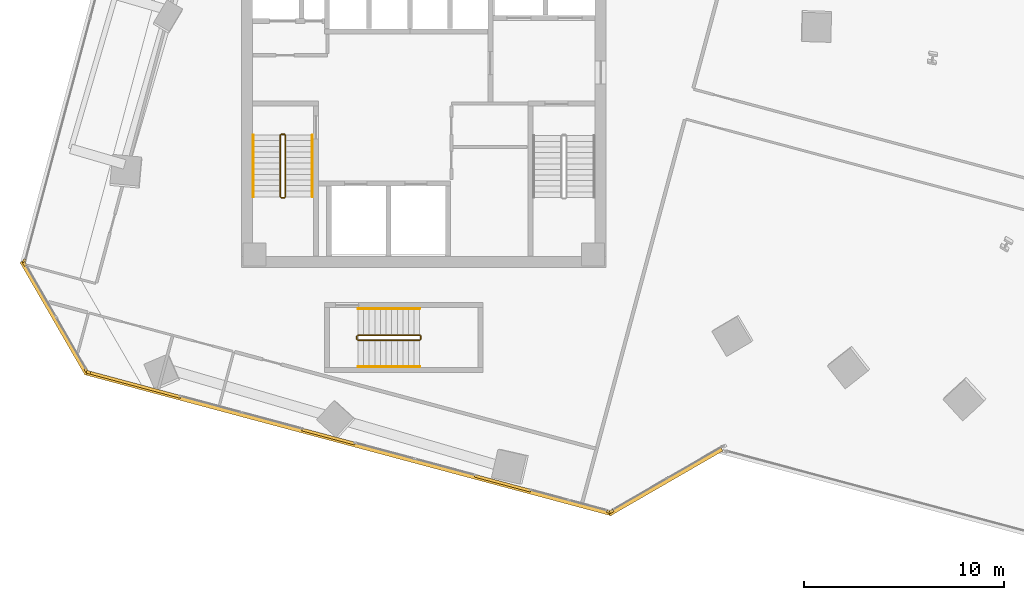
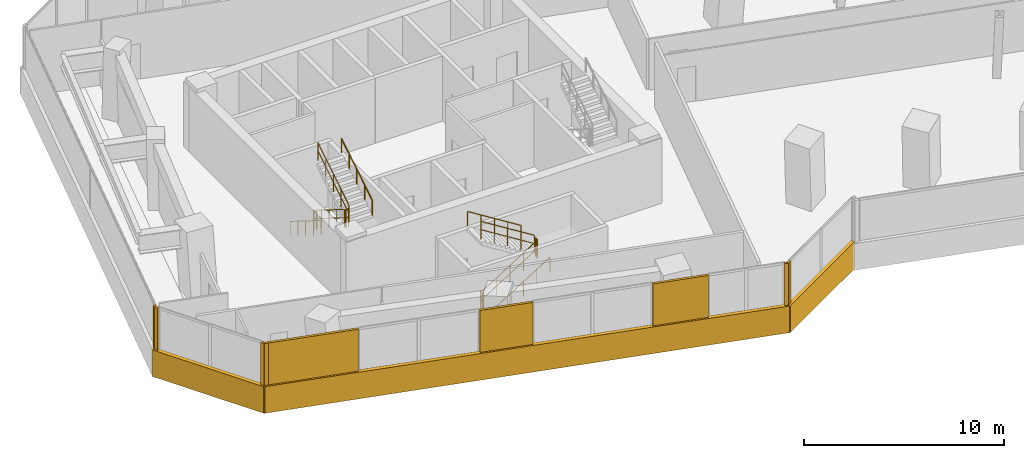
# One storey, part 22 of 26: 12 coverings, 12 railings.
"""IFC4 building model written with IfcOpenShell, lengths in metres."""

from ifc_helpers import new_model, si_unit, direction, frame, origin, origin_2d, place, context, subcontext, project, spatial, rectangle, circle, extrude, source, transform, mapped, material, layer, layer_set, type_object, element, save


model = new_model("IFC4")

# Units and contexts
model_context = context("Model", 3, precision=1e-05, world=origin(), true_north=direction((0.0, 1.0)))
body_context = subcontext(model_context, "Body", "Model", "MODEL_VIEW")
ifc_project = project(units=[si_unit("LENGTHUNIT", "METRE"), si_unit("AREAUNIT", "SQUARE_METRE"), si_unit("VOLUMEUNIT", "CUBIC_METRE"), si_unit("PLANEANGLEUNIT", "RADIAN"), si_unit("MASSUNIT", "GRAM", prefix="KILO")], contexts=[model_context])

# Site, building, storey
site_placement = place(None, origin())
site = spatial("IfcSite", under=ifc_project, at=site_placement, CompositionType="ELEMENT")
building_placement = place(site_placement, origin())
building = spatial("IfcBuilding", under=site, at=building_placement, Name="Torre Montelarca", CompositionType="ELEMENT")
storey_placement = place(building_placement, frame((0.0, 0.0, 104.199951171875)))
storey = spatial("IfcBuildingStorey", under=building, at=storey_placement, Name="L23", CompositionType="ELEMENT", Elevation=104.199951171875)

# Railings
ifc_material_1 = material(Name="Powder-coated steel ASTM A500 Grade C", Category="steel")
railing_type_1 = type_object("IfcRailingType", Name="RL-GUARD-1100", PredefinedType="BALUSTRADE", material=ifc_material_1)
railing_1_placement = place(storey_placement, frame((10.85009765625, 30.5, 0.175048828125)))
element("IfcRailing", 1, at=railing_1_placement, inside=storey, type_object=railing_type_1, Name="L23 ST1 stair guard 1", PredefinedType="BALUSTRADE", context=body_context, shape_type="SweptSolid", body=[
    extrude(circle(Radius=0.02392578125, at=origin_2d()), frame((0.0, 0.0, 1.076171875), z_axis=(0.0, -0.847998304005, 0.529998940003), x_axis=(1.0, 0.0, 0.0)), (0.0, 0.0, 1.0), 3.632080078125),
    extrude(circle(Radius=0.02099609375, at=origin_2d()), frame((0.0, 0.0, 0.572021484375), z_axis=(0.0, -0.847998304005, 0.529998940003), x_axis=(1.0, 0.0, 0.0)), (0.0, 0.0, 1.0), 3.632080078125),
    extrude(circle(Radius=0.02099609375, at=origin_2d()), origin(), (0.0, 0.0, 1.0), 1.052001953125),
    extrude(circle(Radius=0.02099609375, at=origin_2d()), frame((0.0, -0.77001953125, 0.481201171875)), (0.0, 0.0, 1.0), 1.052001953125),
    extrude(circle(Radius=0.02099609375, at=origin_2d()), frame((0.0, -1.5400390625, 0.96240234375)), (0.0, 0.0, 1.0), 1.052001953125),
    extrude(circle(Radius=0.02099609375, at=origin_2d()), frame((0.0, -2.31005859375, 1.44384765625)), (0.0, 0.0, 1.0), 1.052001953125),
    extrude(circle(Radius=0.02099609375, at=origin_2d()), frame((0.0, -3.080078125, 1.925048828125)), (0.0, 0.0, 1.0), 1.052001953125),
])
railing_2_placement = place(storey_placement, frame((10.89990234375, 27.3701171875, 2.10009765625)))
element("IfcRailing", 2, at=railing_2_placement, inside=storey, type_object=railing_type_1, Name="L23 ST1 stair guard 2", PredefinedType="BALUSTRADE", context=body_context, shape_type="SweptSolid", body=[
    extrude(circle(Radius=0.02392578125, at=origin_2d()), frame((0.0, 0.0, 1.076171875), z_axis=(1.0, 0.0, 0.0), x_axis=(0.0, 1.0, 0.0)), (0.0, 0.0, 1.0), 0.150146484375),
    extrude(circle(Radius=0.02099609375, at=origin_2d()), frame((0.0, 0.0, 0.572021484375), z_axis=(1.0, 0.0, 0.0), x_axis=(0.0, 1.0, 0.0)), (0.0, 0.0, 1.0), 0.150146484375),
    extrude(circle(Radius=0.02099609375, at=origin_2d()), origin(), (0.0, 0.0, 1.0), 1.052001953125),
    extrude(circle(Radius=0.02099609375, at=origin_2d()), frame((0.150146484375, 0.0, 0.0)), (0.0, 0.0, 1.0), 1.052001953125),
])
railing_3_placement = place(storey_placement, frame((11.10009765625, 27.419921875, 2.275146484375)))
element("IfcRailing", 3, at=railing_3_placement, inside=storey, type_object=railing_type_1, Name="L23 ST1 stair guard 3", PredefinedType="BALUSTRADE", context=body_context, shape_type="SweptSolid", body=[
    extrude(circle(Radius=0.02392578125, at=origin_2d()), frame((0.0, 0.0, 1.076171875), z_axis=(0.0, 0.848028513186, 0.529950602248), x_axis=(-1.0, 0.0, 0.0)), (0.0, 0.0, 1.0), 3.632080078125),
    extrude(circle(Radius=0.02099609375, at=origin_2d()), frame((0.0, 0.0, 0.572021484375), z_axis=(0.0, 0.848028513186, 0.529950602248), x_axis=(-1.0, 0.0, 0.0)), (0.0, 0.0, 1.0), 3.632080078125),
    extrude(circle(Radius=0.02099609375, at=origin_2d()), origin(), (0.0, 0.0, 1.0), 1.052001953125),
    extrude(circle(Radius=0.02099609375, at=origin_2d()), frame((0.0, 0.77001953125, 0.481201171875)), (0.0, 0.0, 1.0), 1.052001953125),
    extrude(circle(Radius=0.02099609375, at=origin_2d()), frame((0.0, 1.5400390625, 0.96240234375)), (0.0, 0.0, 1.0), 1.052001953125),
    extrude(circle(Radius=0.02099609375, at=origin_2d()), frame((0.0, 2.31005859375, 1.443603515625)), (0.0, 0.0, 1.0), 1.052001953125),
    extrude(circle(Radius=0.02099609375, at=origin_2d()), frame((0.0, 3.080078125, 1.9248046875)), (0.0, 0.0, 1.0), 1.052001953125),
])
railing_4_placement = place(storey_placement, frame((10.89990234375, 30.550048828125, 0.0)))
element("IfcRailing", 4, at=railing_4_placement, inside=storey, type_object=railing_type_1, Name="L23 ST1 stair guard 4", PredefinedType="BALUSTRADE", context=body_context, shape_type="SweptSolid", body=[
    extrude(circle(Radius=0.02392578125, at=origin_2d()), frame((0.0, 0.0, 1.076171875), z_axis=(1.0, 0.0, 0.0), x_axis=(0.0, 1.0, 0.0)), (0.0, 0.0, 1.0), 0.150146484375),
    extrude(circle(Radius=0.02099609375, at=origin_2d()), frame((0.0, 0.0, 0.572021484375), z_axis=(1.0, 0.0, 0.0), x_axis=(0.0, 1.0, 0.0)), (0.0, 0.0, 1.0), 0.150146484375),
    extrude(circle(Radius=0.02099609375, at=origin_2d()), origin(), (0.0, 0.0, 1.0), 1.052001953125),
    extrude(circle(Radius=0.02099609375, at=origin_2d()), frame((0.150146484375, 0.0, 0.0)), (0.0, 0.0, 1.0), 1.052001953125),
])
railing_5_placement = place(storey_placement, frame((14.719970703125, 20.27001953125, 0.175048828125)))
element("IfcRailing", 5, at=railing_5_placement, inside=storey, type_object=railing_type_1, Name="L23 ST3 stair guard 1", PredefinedType="BALUSTRADE", context=body_context, shape_type="SweptSolid", body=[
    extrude(circle(Radius=0.02392578125, at=origin_2d()), frame((0.0, 0.0, 1.076171875), z_axis=(0.847998304005, 0.0, 0.529998940003), x_axis=(0.0, 1.0, 0.0)), (0.0, 0.0, 1.0), 3.632080078125),
    extrude(circle(Radius=0.02099609375, at=origin_2d()), frame((0.0, 0.0, 0.572021484375), z_axis=(0.847998304005, 0.0, 0.529998940003), x_axis=(0.0, 1.0, 0.0)), (0.0, 0.0, 1.0), 3.632080078125),
    extrude(circle(Radius=0.02099609375, at=origin_2d()), origin(), (0.0, 0.0, 1.0), 1.052001953125),
    extrude(circle(Radius=0.02099609375, at=origin_2d()), frame((0.77001953125, 0.0, 0.481201171875)), (0.0, 0.0, 1.0), 1.052001953125),
    extrude(circle(Radius=0.02099609375, at=origin_2d()), frame((1.5400390625, 0.0, 0.96240234375)), (0.0, 0.0, 1.0), 1.052001953125),
    extrude(circle(Radius=0.02099609375, at=origin_2d()), frame((2.31005859375, 0.0, 1.44384765625)), (0.0, 0.0, 1.0), 1.052001953125),
    extrude(circle(Radius=0.02099609375, at=origin_2d()), frame((3.080078125, 0.0, 1.925048828125)), (0.0, 0.0, 1.0), 1.052001953125),
])
railing_6_placement = place(storey_placement, frame((17.85009765625, 20.320068359375, 2.10009765625)))
element("IfcRailing", 6, at=railing_6_placement, inside=storey, type_object=railing_type_1, Name="L23 ST3 stair guard 2", PredefinedType="BALUSTRADE", context=body_context, shape_type="SweptSolid", body=[
    extrude(circle(Radius=0.02392578125, at=origin_2d()), frame((0.0, 0.0, 1.076171875), z_axis=(0.0, 1.0, 0.0), x_axis=(-1.0, 0.0, 0.0)), (0.0, 0.0, 1.0), 0.14990234375),
    extrude(circle(Radius=0.02099609375, at=origin_2d()), frame((0.0, 0.0, 0.572021484375), z_axis=(0.0, 1.0, 0.0), x_axis=(-1.0, 0.0, 0.0)), (0.0, 0.0, 1.0), 0.14990234375),
    extrude(circle(Radius=0.02099609375, at=origin_2d()), origin(), (0.0, 0.0, 1.0), 1.052001953125),
    extrude(circle(Radius=0.02099609375, at=origin_2d()), frame((0.0, 0.14990234375, 0.0)), (0.0, 0.0, 1.0), 1.052001953125),
])
railing_7_placement = place(storey_placement, frame((17.800048828125, 20.52001953125, 2.275146484375)))
element("IfcRailing", 7, at=railing_7_placement, inside=storey, type_object=railing_type_1, Name="L23 ST3 stair guard 3", PredefinedType="BALUSTRADE", context=body_context, shape_type="SweptSolid", body=[
    extrude(circle(Radius=0.02392578125, at=origin_2d()), frame((0.0, 0.0, 1.076171875), z_axis=(-0.848028513186, 0.0, 0.529950602248), x_axis=(0.0, -1.0, 0.0)), (0.0, 0.0, 1.0), 3.632080078125),
    extrude(circle(Radius=0.02099609375, at=origin_2d()), frame((0.0, 0.0, 0.572021484375), z_axis=(-0.848028513186, 0.0, 0.529950602248), x_axis=(0.0, -1.0, 0.0)), (0.0, 0.0, 1.0), 3.632080078125),
    extrude(circle(Radius=0.02099609375, at=origin_2d()), origin(), (0.0, 0.0, 1.0), 1.052001953125),
    extrude(circle(Radius=0.02099609375, at=origin_2d()), frame((-0.77001953125, 0.0, 0.481201171875)), (0.0, 0.0, 1.0), 1.052001953125),
    extrude(circle(Radius=0.02099609375, at=origin_2d()), frame((-1.5400390625, 0.0, 0.96240234375)), (0.0, 0.0, 1.0), 1.052001953125),
    extrude(circle(Radius=0.02099609375, at=origin_2d()), frame((-2.31005859375, 0.0, 1.443603515625)), (0.0, 0.0, 1.0), 1.052001953125),
    extrude(circle(Radius=0.02099609375, at=origin_2d()), frame((-3.080078125, 0.0, 1.9248046875)), (0.0, 0.0, 1.0), 1.052001953125),
])
railing_8_placement = place(storey_placement, frame((14.669921875, 20.320068359375, 0.0)))
element("IfcRailing", 8, at=railing_8_placement, inside=storey, type_object=railing_type_1, Name="L23 ST3 stair guard 4", PredefinedType="BALUSTRADE", context=body_context, shape_type="SweptSolid", body=[
    extrude(circle(Radius=0.02392578125, at=origin_2d()), frame((0.0, 0.0, 1.076171875), z_axis=(0.0, 1.0, 0.0), x_axis=(-1.0, 0.0, 0.0)), (0.0, 0.0, 1.0), 0.14990234375),
    extrude(circle(Radius=0.02099609375, at=origin_2d()), frame((0.0, 0.0, 0.572021484375), z_axis=(0.0, 1.0, 0.0), x_axis=(-1.0, 0.0, 0.0)), (0.0, 0.0, 1.0), 0.14990234375),
    extrude(circle(Radius=0.02099609375, at=origin_2d()), origin(), (0.0, 0.0, 1.0), 1.052001953125),
    extrude(circle(Radius=0.02099609375, at=origin_2d()), frame((0.0, 0.14990234375, 0.0)), (0.0, 0.0, 1.0), 1.052001953125),
])
ifc_material_2 = material(Name="Brushed stainless steel AISI 316", Category="steel")
railing_type_2 = type_object("IfcRailingType", Name="RL-HANDRAIL-900", PredefinedType="HANDRAIL", material=ifc_material_2)
railing_9_placement = place(storey_placement, frame((9.5, 30.5, 0.175048828125)))
element("IfcRailing", 9, at=railing_9_placement, inside=storey, type_object=railing_type_2, Name="L23 ST1 stair handrail 1", PredefinedType="HANDRAIL", context=body_context, shape_type="SweptSolid", body=[
    extrude(circle(Radius=0.02392578125, at=origin_2d()), frame((0.0, 0.0, 0.8759765625), z_axis=(0.0, -0.847998304005, 0.529998940003), x_axis=(1.0, 0.0, 0.0)), (0.0, 0.0, 1.0), 3.632080078125),
    extrude(circle(Radius=0.02099609375, at=origin_2d()), origin(), (0.0, 0.0, 1.0), 0.851806640625),
    extrude(circle(Radius=0.02099609375, at=origin_2d()), frame((0.0, -0.77001953125, 0.481201171875)), (0.0, 0.0, 1.0), 0.851806640625),
    extrude(circle(Radius=0.02099609375, at=origin_2d()), frame((0.0, -1.5400390625, 0.96240234375)), (0.0, 0.0, 1.0), 0.851806640625),
    extrude(circle(Radius=0.02099609375, at=origin_2d()), frame((0.0, -2.31005859375, 1.44384765625)), (0.0, 0.0, 1.0), 0.851806640625),
    extrude(circle(Radius=0.02099609375, at=origin_2d()), frame((0.0, -3.080078125, 1.925048828125)), (0.0, 0.0, 1.0), 0.851806640625),
])
railing_10_placement = place(storey_placement, frame((12.449951171875, 27.419921875, 2.275146484375)))
element("IfcRailing", 10, at=railing_10_placement, inside=storey, type_object=railing_type_2, Name="L23 ST1 stair handrail 2", PredefinedType="HANDRAIL", context=body_context, shape_type="SweptSolid", body=[
    extrude(circle(Radius=0.02392578125, at=origin_2d()), frame((0.0, 0.0, 0.8759765625), z_axis=(0.0, 0.848028513186, 0.529950602248), x_axis=(-1.0, 0.0, 0.0)), (0.0, 0.0, 1.0), 3.632080078125),
    extrude(circle(Radius=0.02099609375, at=origin_2d()), origin(), (0.0, 0.0, 1.0), 0.851806640625),
    extrude(circle(Radius=0.02099609375, at=origin_2d()), frame((0.0, 0.77001953125, 0.481201171875)), (0.0, 0.0, 1.0), 0.851806640625),
    extrude(circle(Radius=0.02099609375, at=origin_2d()), frame((0.0, 1.5400390625, 0.96240234375)), (0.0, 0.0, 1.0), 0.851806640625),
    extrude(circle(Radius=0.02099609375, at=origin_2d()), frame((0.0, 2.31005859375, 1.443603515625)), (0.0, 0.0, 1.0), 0.851806640625),
    extrude(circle(Radius=0.02099609375, at=origin_2d()), frame((0.0, 3.080078125, 1.9248046875)), (0.0, 0.0, 1.0), 0.851806640625),
])
railing_11_placement = place(storey_placement, frame((14.719970703125, 18.949951171875, 0.175048828125)))
element("IfcRailing", 11, at=railing_11_placement, inside=storey, type_object=railing_type_2, Name="L23 ST3 stair handrail 1", PredefinedType="HANDRAIL", context=body_context, shape_type="SweptSolid", body=[
    extrude(circle(Radius=0.02392578125, at=origin_2d()), frame((0.0, 0.0, 0.8759765625), z_axis=(0.847998304005, 0.0, 0.529998940003), x_axis=(0.0, 1.0, 0.0)), (0.0, 0.0, 1.0), 3.632080078125),
    extrude(circle(Radius=0.02099609375, at=origin_2d()), origin(), (0.0, 0.0, 1.0), 0.851806640625),
    extrude(circle(Radius=0.02099609375, at=origin_2d()), frame((0.77001953125, 0.0, 0.481201171875)), (0.0, 0.0, 1.0), 0.851806640625),
    extrude(circle(Radius=0.02099609375, at=origin_2d()), frame((1.5400390625, 0.0, 0.96240234375)), (0.0, 0.0, 1.0), 0.851806640625),
    extrude(circle(Radius=0.02099609375, at=origin_2d()), frame((2.31005859375, 0.0, 1.44384765625)), (0.0, 0.0, 1.0), 0.851806640625),
    extrude(circle(Radius=0.02099609375, at=origin_2d()), frame((3.080078125, 0.0, 1.925048828125)), (0.0, 0.0, 1.0), 0.851806640625),
])
railing_12_placement = place(storey_placement, frame((17.800048828125, 21.840087890625, 2.275146484375)))
element("IfcRailing", 12, at=railing_12_placement, inside=storey, type_object=railing_type_2, Name="L23 ST3 stair handrail 2", PredefinedType="HANDRAIL", context=body_context, shape_type="SweptSolid", body=[
    extrude(circle(Radius=0.02392578125, at=origin_2d()), frame((0.0, 0.0, 0.8759765625), z_axis=(-0.848028513186, 0.0, 0.529950602248), x_axis=(0.0, -1.0, 0.0)), (0.0, 0.0, 1.0), 3.632080078125),
    extrude(circle(Radius=0.02099609375, at=origin_2d()), origin(), (0.0, 0.0, 1.0), 0.851806640625),
    extrude(circle(Radius=0.02099609375, at=origin_2d()), frame((-0.77001953125, 0.0, 0.481201171875)), (0.0, 0.0, 1.0), 0.851806640625),
    extrude(circle(Radius=0.02099609375, at=origin_2d()), frame((-1.5400390625, 0.0, 0.96240234375)), (0.0, 0.0, 1.0), 0.851806640625),
    extrude(circle(Radius=0.02099609375, at=origin_2d()), frame((-2.31005859375, 0.0, 1.443603515625)), (0.0, 0.0, 1.0), 0.851806640625),
    extrude(circle(Radius=0.02099609375, at=origin_2d()), frame((-3.080078125, 0.0, 1.9248046875)), (0.0, 0.0, 1.0), 0.851806640625),
])

# Coverings
ifc_material_3 = material(Name="Bush-hammered warm white precast concrete C45/55", Category="concrete")
ifc_layer = layer(ifc_material_3, 0.139892578125, Name="Bush-hammered warm white precast concrete C45/55", Category="concrete")
ifc_layer_set = layer_set([ifc_layer], Name="Bush-hammered warm white precast concrete C45/55")
covering_type = type_object("IfcCoveringType", Name="COV-TRAY-CLAD", PredefinedType="CLADDING", material=ifc_layer_set)
shared_shape_1 = source(origin(), body_context, "Body", "SweptSolid", [
    extrude(rectangle(XDim=6.48388671875, YDim=0.219970703125, at=origin_2d()), origin(), (0.0, 0.0, 1.0), 1.6201171875),
])
for number, where, z_axis, x_axis, name in (
    (13, (30.05859375, 13.216064453125, -0.449951171875), (0.0, 0.0, 1.0), (0.866021913105, 0.500006045986, 0.0), "L23 Architectural White Spandrel Tray Band TRYBOT-02"),
    (14, (-0.423583984375, 21.3837890625, -0.449951171875), (0.0, 0.0, 1.0), (0.4999984885, -0.866026276448, 0.0), "L23 Architectural White Spandrel Tray Band TRYBOT-11"),
):
    element("IfcCovering", number, at=place(storey_placement, frame(where, z_axis=z_axis, x_axis=x_axis)), inside=storey, type_object=covering_type, Name=name, PredefinedType="CLADDING", context=body_context, shape_type="MappedRepresentation", body=[
        mapped(shared_shape_1, transform((0.0, 0.0, 0.0), scale=1.0)),
    ])
shared_shape_2 = source(origin(), body_context, "Body", "SweptSolid", [
    extrude(rectangle(XDim=27.219970703125, YDim=0.219970703125, at=origin_2d()), origin(), (0.0, 0.0, 1.0), 1.6201171875),
])
covering_1_placement = place(storey_placement, frame((14.237548828125, 15.135009765625, -0.449951171875), z_axis=(0.0, 0.0, 1.0), x_axis=(0.965925826289, -0.258819045103, 0.0)))
element("IfcCovering", 15, at=covering_1_placement, inside=storey, type_object=covering_type, Name="L23 Architectural White Spandrel Tray Band TRYBOT-01", PredefinedType="CLADDING", context=body_context, shape_type="MappedRepresentation", body=[
    mapped(shared_shape_2, transform((0.0, 0.0, 0.0), scale=1.0)),
])
shared_shape_3 = source(origin(), body_context, "Body", "SweptSolid", [
    extrude(rectangle(XDim=2.734375, YDim=0.139892578125, at=origin_2d()), origin(), (0.0, 0.0, 1.0), 3.719970703125),
])
covering_2_placement = place(storey_placement, frame((13.251220703125, 15.46142578125, 0.0), z_axis=(0.0, 0.0, 1.0), x_axis=(0.965925826289, -0.258819045103, 0.0)))
element("IfcCovering", 16, at=covering_2_placement, inside=storey, type_object=covering_type, Name="L23 Architectural Column Pier Cladding E01-3", PredefinedType="CLADDING", context=body_context, shape_type="MappedRepresentation", body=[
    mapped(shared_shape_3, transform((0.0, 0.0, 0.0), scale=1.0)),
])
shared_shape_4 = source(origin(), body_context, "Body", "SweptSolid", [
    extrude(rectangle(XDim=2.886474609375, YDim=0.139892578125, at=origin_2d()), origin(), (0.0, 0.0, 1.0), 3.719970703125),
])
covering_3_placement = place(storey_placement, frame((21.943603515625, 13.13232421875, 0.0), z_axis=(0.0, 0.0, 1.0), x_axis=(0.965925826289, -0.258819045103, 0.0)))
element("IfcCovering", 17, at=covering_3_placement, inside=storey, type_object=covering_type, Name="L23 Architectural Column Pier Cladding E01-4", PredefinedType="CLADDING", context=body_context, shape_type="MappedRepresentation", body=[
    mapped(shared_shape_4, transform((0.0, 0.0, 0.0), scale=1.0)),
])
shared_shape_5 = source(origin(), body_context, "Body", "SweptSolid", [
    extrude(rectangle(XDim=0.199951171875, YDim=0.139892578125, at=origin_2d()), origin(), (0.0, 0.0, 1.0), 3.719970703125),
])
for number, where, z_axis, x_axis, name in (
    (18, (1.276611328125, 18.669921875, 0.0), (0.0, 0.0, 1.0), (0.965925826289, -0.258819045103, 0.0), "L23 Architectural Column Pier Cladding E01-1"),
    (19, (27.2294921875, 11.7158203125, 0.0), (0.0, 0.0, 1.0), (0.965925826289, -0.258819045103, 0.0), "L23 Architectural Column Pier Cladding E01-5"),
    (20, (27.373291015625, 11.73486328125, 0.0), (0.0, 0.0, 1.0), (0.866024531118, 0.500001511499, 0.0), "L23 Architectural Column Pier Cladding E02-1"),
    (21, (-1.923583984375, 24.212890625, 0.0), (0.0, 0.0, 1.0), (-0.258819045103, -0.965925826289, 0.0), "L23 Architectural Column Pier Cladding E10-2"),
    (22, (-1.904541015625, 24.069091796875, 0.0), (0.0, 0.0, 1.0), (0.500001511499, -0.866024531118, 0.0), "L23 Architectural Column Pier Cladding E11-1"),
    (23, (1.16162109375, 18.75830078125, 0.0), (0.0, 0.0, 1.0), (0.500001511499, -0.866024531118, 0.0), "L23 Architectural Column Pier Cladding E11-2"),
):
    element("IfcCovering", number, at=place(storey_placement, frame(where, z_axis=z_axis, x_axis=x_axis)), inside=storey, type_object=covering_type, Name=name, PredefinedType="CLADDING", context=body_context, shape_type="MappedRepresentation", body=[
        mapped(shared_shape_5, transform((0.0, 0.0, 0.0), scale=1.0)),
    ])
shared_shape_6 = source(origin(), body_context, "Body", "SweptSolid", [
    extrude(rectangle(XDim=4.76416015625, YDim=0.139892578125, at=origin_2d()), origin(), (0.0, 0.0, 1.0), 3.719970703125),
])
covering_4_placement = place(storey_placement, frame((3.57763671875, 18.053466796875, 0.0), z_axis=(0.0, 0.0, 1.0), x_axis=(0.965925826289, -0.258819045103, 0.0)))
element("IfcCovering", 24, at=covering_4_placement, inside=storey, type_object=covering_type, Name="L23 Architectural Column Pier Cladding E01-2", PredefinedType="CLADDING", context=body_context, shape_type="MappedRepresentation", body=[
    mapped(shared_shape_6, transform((0.0, 0.0, 0.0), scale=1.0)),
])

save(model, "model.ifc")
